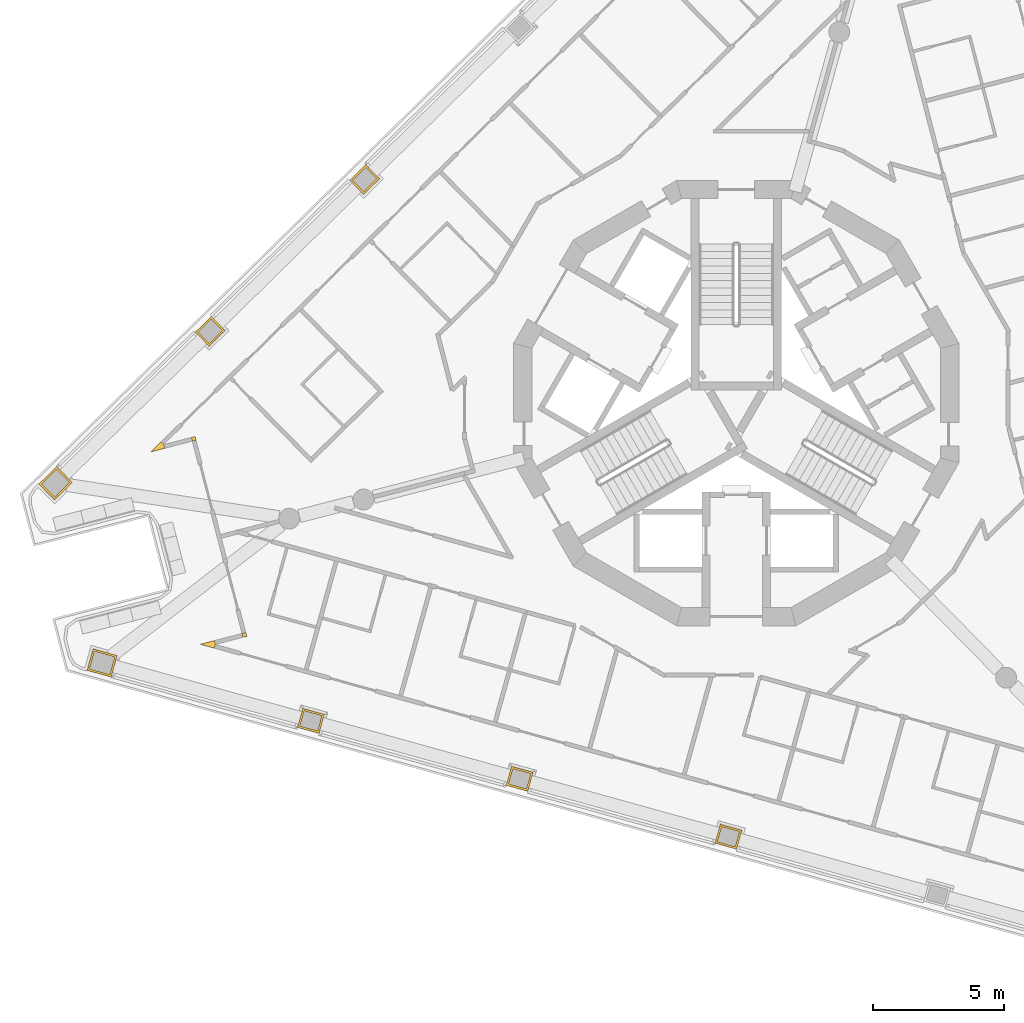
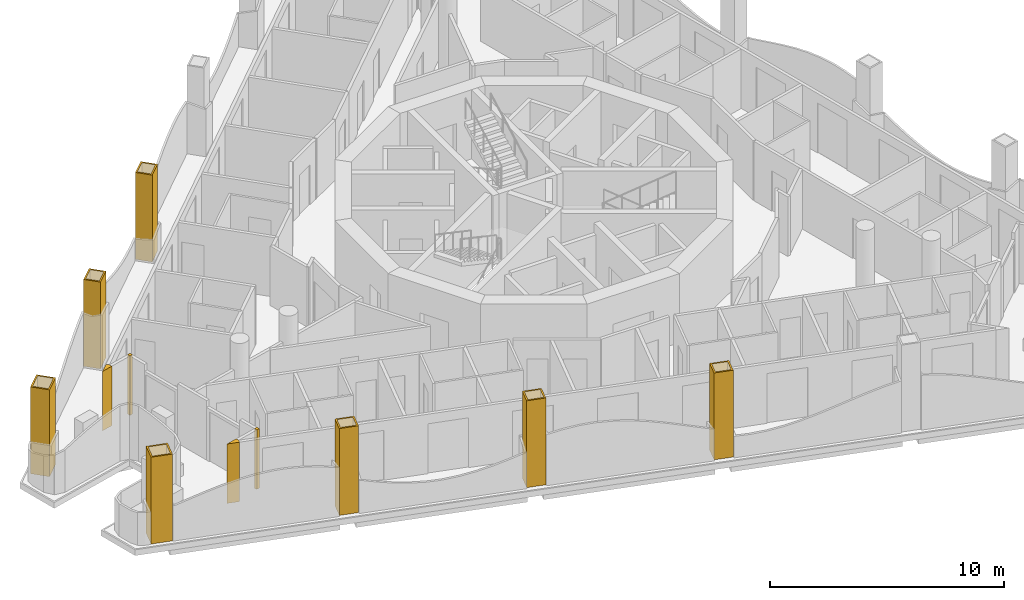
# One storey, part 10 of 15: 11 coverings.
"""IFC4 building model written with IfcOpenShell, lengths in metres."""

from ifc_helpers import new_model, si_unit, direction, frame, origin, place, context, subcontext, project, spatial, polyline, outline, extrude, material, layer, layer_set, type_object, element, save


model = new_model("IFC4")

# Units and contexts
model_context = context("Model", 3, precision=1e-05, world=origin(), true_north=direction((0.0, 1.0)))
body_context = subcontext(model_context, "Body", "Model", "MODEL_VIEW")
ifc_project = project(units=[si_unit("LENGTHUNIT", "METRE"), si_unit("AREAUNIT", "SQUARE_METRE"), si_unit("VOLUMEUNIT", "CUBIC_METRE"), si_unit("PLANEANGLEUNIT", "RADIAN"), si_unit("MASSUNIT", "GRAM", prefix="KILO")], contexts=[model_context])

# Site, building, storey
site_placement = place(None, origin())
site = spatial("IfcSite", under=ifc_project, at=site_placement, CompositionType="ELEMENT")
building_placement = place(site_placement, origin())
building = spatial("IfcBuilding", under=site, at=building_placement, Name="Trine Commons Tower", CompositionType="ELEMENT")
storey_placement = place(building_placement, frame((0.0, 0.0, 263.699951171875)))
storey = spatial("IfcBuildingStorey", under=building, at=storey_placement, Name="L69", CompositionType="ELEMENT", Elevation=263.699951171875)

# Coverings
ifc_material_1 = material(Name="Aluminium-framed insulated wall panel", Category="aluminium")
ifc_layer_1 = layer(ifc_material_1, 0.14990234375)
ifc_layer_set_1 = layer_set([ifc_layer_1], Name="Aluminium-framed insulated wall panel")
covering_type_1 = type_object("IfcCoveringType", Name="Glazing corner post, aluminium", PredefinedType="CLADDING", material=ifc_layer_set_1)
covering_1_placement = place(storey_placement, origin())
element("IfcCovering", 1, at=covering_1_placement, inside=storey, type_object=covering_type_1, Name="Glazing corner post 7-01", PredefinedType="CLADDING", context=body_context, shape_type="SweptSolid", body=[
    extrude(outline(polyline([(58.186279296875, 60.773193359375), (58.14892578125, 60.91845703125), (58.043701171875, 61.025390625), (57.644287109375, 60.63330078125), (58.186279296875, 60.773193359375)])), origin(), (0.0, 0.0, 1.0), 3.10009765625),
])
covering_2_placement = place(storey_placement, origin())
element("IfcCovering", 2, at=covering_2_placement, inside=storey, type_object=covering_type_1, Name="Glazing corner post 7-10", PredefinedType="CLADDING", context=body_context, shape_type="SweptSolid", body=[
    extrude(outline(polyline([(60.081787109375, 53.14501953125), (60.121826171875, 53.28955078125), (60.084228515625, 53.434814453125), (59.542236328125, 53.294677734375), (60.081787109375, 53.14501953125)])), origin(), (0.0, 0.0, 1.0), 3.10009765625),
])
covering_3_placement = place(storey_placement, origin())
element("IfcCovering", 3, at=covering_3_placement, inside=storey, type_object=covering_type_1, Name="Glazing corner post 7-11", PredefinedType="CLADDING", context=body_context, shape_type="SweptSolid", body=[
    extrude(outline(polyline([(61.135498046875, 53.70654296875), (61.135498046875, 53.70654296875), (61.173095703125, 53.561279296875), (61.318115234375, 53.598876953125), (61.28076171875, 53.744140625), (61.135498046875, 53.70654296875)])), origin(), (0.0, 0.0, 1.0), 3.10009765625),
])
covering_4_placement = place(storey_placement, origin())
element("IfcCovering", 4, at=covering_4_placement, inside=storey, type_object=covering_type_1, Name="Glazing corner post 7-12", PredefinedType="CLADDING", context=body_context, shape_type="SweptSolid", body=[
    extrude(outline(polyline([(59.199951171875, 61.1904296875), (59.237548828125, 61.045166015625), (59.3828125, 61.082763671875), (59.34521484375, 61.227783203125), (59.199951171875, 61.1904296875)])), origin(), (0.0, 0.0, 1.0), 3.10009765625),
])
ifc_material_2 = material(Name="Limestone, honed", Category="masonry")
ifc_layer_2 = layer(ifc_material_2, 0.074951171875)
ifc_layer_set_2 = layer_set([ifc_layer_2], Name="Limestone, honed")
covering_type_2 = type_object("IfcCoveringType", Name="Limestone column cladding 75", PredefinedType="CLADDING", material=ifc_layer_set_2)
covering_5_placement = place(storey_placement, origin())
element("IfcCovering", 5, at=covering_5_placement, inside=storey, type_object=covering_type_2, Name="Limestone pier cladding 7-03", PredefinedType="CLADDING", context=body_context, shape_type="SweptSolid", body=[
    extrude(outline(polyline([(79.3916015625, 46.42529296875), (79.19091796875, 45.70263671875), (80.010009765625, 45.4755859375), (80.210693359375, 46.1982421875), (79.3916015625, 46.42529296875)]), holes=[polyline([(79.443603515625, 46.3330078125), (79.283447265625, 45.7548828125), (79.9580078125, 45.56787109375), (80.1181640625, 46.14599609375), (79.443603515625, 46.3330078125)])]), origin(), (0.0, 0.0, 1.0), 4.527099609375),
])
covering_6_placement = place(storey_placement, origin())
element("IfcCovering", 6, at=covering_6_placement, inside=storey, type_object=covering_type_2, Name="Limestone pier cladding 7-04", PredefinedType="CLADDING", context=body_context, shape_type="SweptSolid", body=[
    extrude(outline(polyline([(71.423583984375, 48.635009765625), (71.222900390625, 47.912353515625), (72.0419921875, 47.685302734375), (72.24267578125, 48.407958984375), (71.423583984375, 48.635009765625)]), holes=[polyline([(71.4755859375, 48.542724609375), (71.3154296875, 47.964599609375), (71.989990234375, 47.777587890625), (72.150146484375, 48.355712890625), (71.4755859375, 48.542724609375)])]), origin(), (0.0, 0.0, 1.0), 4.527099609375),
])
covering_7_placement = place(storey_placement, origin())
element("IfcCovering", 7, at=covering_7_placement, inside=storey, type_object=covering_type_2, Name="Limestone pier cladding 7-05", PredefinedType="CLADDING", context=body_context, shape_type="SweptSolid", body=[
    extrude(outline(polyline([(63.45556640625, 50.8447265625), (63.2548828125, 50.1220703125), (64.07421875, 49.89501953125), (64.274658203125, 50.61767578125), (63.45556640625, 50.8447265625)]), holes=[polyline([(63.5078125, 50.75244140625), (63.347412109375, 50.17431640625), (64.02197265625, 49.9873046875), (64.18212890625, 50.5654296875), (63.5078125, 50.75244140625)])]), origin(), (0.0, 0.0, 1.0), 4.527099609375),
])
covering_8_placement = place(storey_placement, origin())
element("IfcCovering", 8, at=covering_8_placement, inside=storey, type_object=covering_type_2, Name="Limestone pier cladding 7-06", PredefinedType="CLADDING", context=body_context, shape_type="SweptSolid", body=[
    extrude(outline(polyline([(55.45263671875, 53.115966796875), (55.2255859375, 52.296875), (56.140869140625, 52.04296875), (56.3681640625, 52.862060546875), (55.45263671875, 53.115966796875)]), holes=[polyline([(55.5048828125, 53.023681640625), (55.31787109375, 52.34912109375), (56.088623046875, 52.13525390625), (56.27587890625, 52.809814453125), (55.5048828125, 53.023681640625)])]), origin(), (0.0, 0.0, 1.0), 4.527099609375),
])
covering_9_placement = place(storey_placement, origin())
element("IfcCovering", 9, at=covering_9_placement, inside=storey, type_object=covering_type_2, Name="Limestone pier cladding 7-07", PredefinedType="CLADDING", context=body_context, shape_type="SweptSolid", body=[
    extrude(outline(polyline([(54.65869140625, 59.472412109375), (54.062744140625, 60.078857421875), (53.38525390625, 59.412841796875), (53.98095703125, 58.806640625), (54.65869140625, 59.472412109375)]), holes=[polyline([(54.552490234375, 59.473388671875), (54.06201171875, 59.97265625), (53.4912109375, 59.412109375), (53.98193359375, 58.91259765625), (54.552490234375, 59.473388671875)])]), origin(), (0.0, 0.0, 1.0), 4.527099609375),
])
covering_10_placement = place(storey_placement, origin())
element("IfcCovering", 10, at=covering_10_placement, inside=storey, type_object=covering_type_2, Name="Limestone pier cladding 7-08", PredefinedType="CLADDING", context=body_context, shape_type="SweptSolid", body=[
    extrude(outline(polyline([(60.485595703125, 65.268798828125), (59.959716796875, 65.8037109375), (59.353515625, 65.2080078125), (59.879150390625, 64.6728515625), (60.485595703125, 65.268798828125)]), holes=[polyline([(60.37939453125, 65.26953125), (59.958984375, 65.697509765625), (59.459716796875, 65.20703125), (59.880126953125, 64.779052734375), (60.37939453125, 65.26953125)])]), origin(), (0.0, 0.0, 1.0), 4.527099609375),
])
covering_11_placement = place(storey_placement, origin())
element("IfcCovering", 11, at=covering_11_placement, inside=storey, type_object=covering_type_2, Name="Limestone pier cladding 7-09", PredefinedType="CLADDING", context=body_context, shape_type="SweptSolid", body=[
    extrude(outline(polyline([(66.38330078125, 71.064208984375), (65.857421875, 71.599365234375), (65.251220703125, 71.00341796875), (65.77685546875, 70.468505859375), (66.38330078125, 71.064208984375)]), holes=[polyline([(66.277099609375, 71.065185546875), (65.856689453125, 71.4931640625), (65.357421875, 71.002685546875), (65.77783203125, 70.57470703125), (66.277099609375, 71.065185546875)])]), origin(), (0.0, 0.0, 1.0), 4.527099609375),
])

save(model, "model.ifc")
